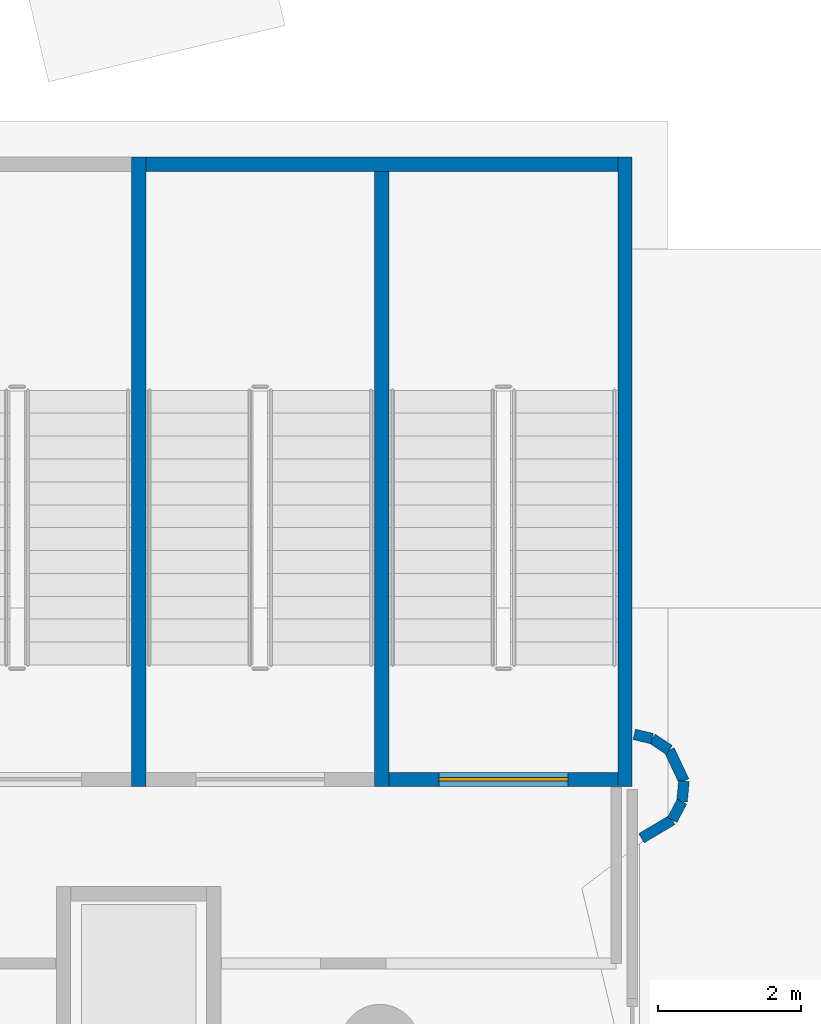
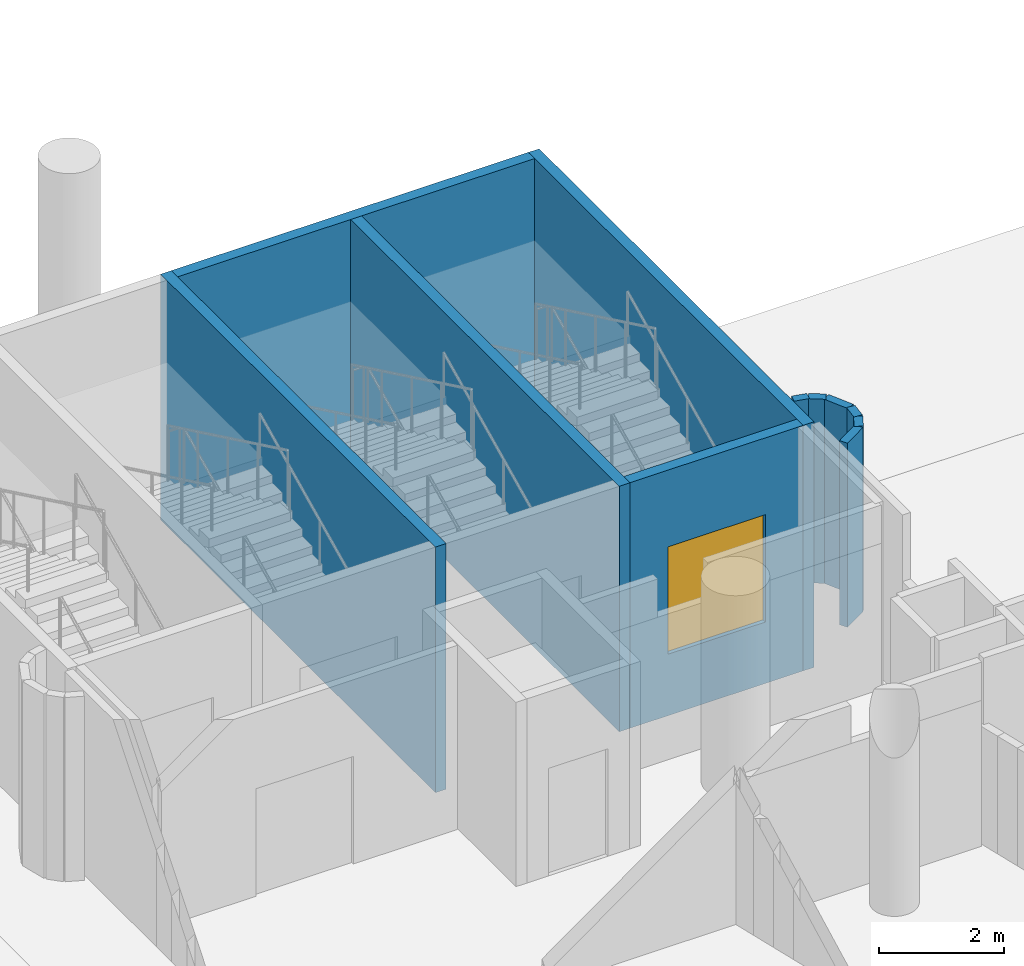
# One storey, part 80 of 142: 11 walls, 1 door, 1 opening.
"""IFC4 building model written with IfcOpenShell, lengths in metres."""

import ifcopenshell
import ifcopenshell.guid

model = None  # the IFC model being written
_history = None  # IfcOwnerHistory: only IFC2X3 demands one
_inside = {}  # id of a spatial element -> (the spatial element, [elements in it])
_under = {}  # id of a project, library or spatial element -> (it, [spatial elements below it])
_declared = {}  # id of a project -> (the project, [libraries it declares])
_typed = {}  # id of a type object -> (the type object, [elements of that type])
_made_of = {}  # id of a material, layer set ... -> (it, [elements and type objects made of it])


def new_model(schema):
    """Start an empty IFC model of exactly this schema.

    Asked for "IFC4X3", IfcOpenShell would pick the latest addendum, in which some entities
    have other attributes; the version numbers below select the first issue.
    IFC2X3 requires an IfcOwnerHistory on every rooted entity: one is made here for all.
    """
    global model, _history
    if schema == "IFC4X3":
        model = ifcopenshell.file(schema_version=(4, 3, 0, 0))
    else:
        model = ifcopenshell.file(schema=schema)
    _inside.clear()
    _under.clear()
    _declared.clear()
    _typed.clear()
    _made_of.clear()
    _history = None
    if model.schema == "IFC2X3":
        org = make("IfcOrganization", Name="unknown")
        user = make(
            "IfcPersonAndOrganization",
            ThePerson=make("IfcPerson", FamilyName="unknown"),
            TheOrganization=org,
        )
        app = make(
            "IfcApplication",
            ApplicationDeveloper=org,
            Version="unknown",
            ApplicationFullName="unknown",
            ApplicationIdentifier="unknown",
        )
        _history = make(
            "IfcOwnerHistory",
            OwningUser=user,
            OwningApplication=app,
            ChangeAction="ADDED",
            CreationDate=0,
        )
    return model


def make(cls, **values):
    """One entity of the class cls with the attributes given. An attribute that is None is left unset."""
    return model.create_entity(
        cls, **{name: value for name, value in values.items() if value is not None}
    )


def rooted(cls, **values):
    """An entity with a GlobalId (a new one), such as an element, a storey or a relation."""
    return make(cls, GlobalId=ifcopenshell.guid.new(), OwnerHistory=_history, **values)


def si_unit(unit_type, name, prefix=None):
    """IfcSIUnit, for example si_unit("LENGTHUNIT", "METRE", prefix="MILLI")."""
    return make("IfcSIUnit", UnitType=unit_type, Prefix=prefix, Name=name)


def assignment(units):
    """IfcUnitAssignment: the units of a project."""
    return None if units is None else make("IfcUnitAssignment", Units=units)


def point(xyz):
    """IfcCartesianPoint."""
    return None if xyz is None else make("IfcCartesianPoint", Coordinates=xyz)


def direction(xyz):
    """IfcDirection."""
    return None if xyz is None else make("IfcDirection", DirectionRatios=xyz)


def frame(location, z_axis=None, x_axis=None):
    """IfcAxis2Placement3D, a coordinate frame: its origin and axes. An axis left out is left unset."""
    return make(
        "IfcAxis2Placement3D",
        Location=point(location),
        Axis=direction(z_axis),
        RefDirection=direction(x_axis),
    )


def frame_2d(location, x_axis=None):
    """IfcAxis2Placement2D, a coordinate frame in the plane: its origin and x axis."""
    return make(
        "IfcAxis2Placement2D", Location=point(location), RefDirection=direction(x_axis)
    )


def origin():
    """The frame at (0, 0, 0) with its axes left unset."""
    return frame((0.0, 0.0, 0.0))


def place(relative_to, where):
    """IfcLocalPlacement: puts the frame where relative to a parent placement (None: the world)."""
    return make(
        "IfcLocalPlacement", PlacementRelTo=relative_to, RelativePlacement=where
    )


def context(
    kind, dimensions, precision=None, world=None, true_north=None, identifier=None
):
    """IfcGeometricRepresentationContext, for example the 3D "Model" context."""
    return make(
        "IfcGeometricRepresentationContext",
        ContextIdentifier=identifier,
        ContextType=kind,
        CoordinateSpaceDimension=dimensions,
        Precision=precision,
        WorldCoordinateSystem=world,
        TrueNorth=true_north,
    )


def subcontext(parent, identifier, kind, view, scale=None):
    """IfcGeometricRepresentationSubContext, for example "Body" below "Model"."""
    return make(
        "IfcGeometricRepresentationSubContext",
        ContextIdentifier=identifier,
        ContextType=kind,
        ParentContext=parent,
        TargetScale=scale,
        TargetView=view,
    )


def project(units=None, contexts=None):
    """IfcProject with its units and contexts."""
    return rooted(
        "IfcProject",
        Name="project",
        RepresentationContexts=contexts,
        UnitsInContext=assignment(units),
    )


def spatial(cls, under=None, at=None, **own):
    """A site, building, storey or space (cls), placed at a placement, below another one or the project."""
    s = rooted(cls, ObjectPlacement=at, **own)
    if under is not None:
        _under.setdefault(under.id(), (under, []))[1].append(s)
    return s


def profile(cls, at=None, kind="AREA", **sizes):
    """A parametric profile (cls). Its sizes go by their IFC names, for example OverallWidth=200.0."""
    return make(cls, ProfileType=kind, Position=at, **sizes)


def rectangle(**sizes):
    """IfcRectangleProfileDef."""
    return profile("IfcRectangleProfileDef", **sizes)


def extrude(swept, where, along, depth):
    """IfcExtrudedAreaSolid: the profile swept, set in the frame where, extruded along a direction by depth."""
    return make(
        "IfcExtrudedAreaSolid",
        SweptArea=swept,
        Position=where,
        ExtrudedDirection=direction(along),
        Depth=depth,
    )


def shape(context_of_items, identifier, shape_type, items):
    """IfcShapeRepresentation: the items that make up one representation, for example the "Body"."""
    return make(
        "IfcShapeRepresentation",
        ContextOfItems=context_of_items,
        RepresentationIdentifier=identifier,
        RepresentationType=shape_type,
        Items=items,
    )


def material(Name=None, Category=None):
    """IfcMaterial."""
    return make("IfcMaterial", Name=Name, Category=Category)


def layer(
    of_material, thickness, ventilated=None, Name=None, Category=None, Priority=None
):
    """IfcMaterialLayer: one layer of a wall or slab, of a material (None: an air gap)."""
    return make(
        "IfcMaterialLayer",
        Material=of_material,
        LayerThickness=thickness,
        IsVentilated=ventilated,
        Name=Name,
        Category=Category,
        Priority=Priority,
    )


def layer_set(layers, Name=None):
    """IfcMaterialLayerSet."""
    return make("IfcMaterialLayerSet", MaterialLayers=layers, LayerSetName=Name)


def made_of(thing, what):
    """Note that an element or type object is made of a material, layer set ...; save() writes the relation."""
    if what is not None:
        _made_of.setdefault(what.id(), (what, []))[1].append(thing)
    return thing


def type_object(cls, material=None, **own):
    """A type object (cls), such as IfcWallType, which elements share."""
    return made_of(rooted(cls, **own), material)


def element(
    cls,
    number,
    at=None,
    inside=None,
    cuts=None,
    type_object=None,
    material=None,
    context=None,
    identifier="Body",
    shape_type=None,
    held_by="IfcProductDefinitionShape",
    body=None,
    shapes=None,
    **own,
):
    """One element of the class cls, such as IfcWall. Its Tag is "e" and its number.

    at: its placement. inside: the storey or other place that contains it. cuts: it is an
    opening in that element (IfcRelVoidsElement). A single representation is given by context,
    identifier, shape_type and body (its items); several are given by shapes. held_by: the class
    of the entity that holds the representations. save() writes the other relations.
    """
    e = rooted(cls, Tag="e%d" % number, ObjectPlacement=at, **own)
    if body is not None:
        shapes = [shape(context, identifier, shape_type, body)]
    if shapes is not None:
        e.Representation = make(held_by, Representations=shapes)
    if inside is not None:
        _inside.setdefault(inside.id(), (inside, []))[1].append(e)
    if cuts is not None:
        rooted(
            "IfcRelVoidsElement", RelatingBuildingElement=cuts, RelatedOpeningElement=e
        )
    if type_object is not None:
        _typed.setdefault(type_object.id(), (type_object, []))[1].append(e)
    return made_of(e, material)


def fill(opening, filler):
    """IfcRelFillsElement: the door or window that sits in an opening."""
    return rooted(
        "IfcRelFillsElement",
        RelatingOpeningElement=opening,
        RelatedBuildingElement=filler,
    )


def aggregate(whole, parts):
    """IfcRelAggregates: a whole, such as a stair, and the parts it consists of."""
    return rooted("IfcRelAggregates", RelatingObject=whole, RelatedObjects=parts)


def save(model, path):
    """Write the relations noted so far, then the file.

    IfcRelAggregates (storeys below a building ...), IfcRelContainedInSpatialStructure (elements
    in a storey), IfcRelDefinesByType, IfcRelAssociatesMaterial and IfcRelDeclares: one each for
    every whole, place, type object, material and project.
    """
    for whole, parts in _under.values():
        aggregate(whole, parts)
    for where, things in _inside.values():
        rooted(
            "IfcRelContainedInSpatialStructure",
            RelatedElements=things,
            RelatingStructure=where,
        )
    for kind, things in _typed.values():
        rooted("IfcRelDefinesByType", RelatedObjects=things, RelatingType=kind)
    for what, things in _made_of.values():
        rooted("IfcRelAssociatesMaterial", RelatedObjects=things, RelatingMaterial=what)
    for by, libraries in _declared.values():
        rooted("IfcRelDeclares", RelatingContext=by, RelatedDefinitions=libraries)
    model.write(path)


model = new_model("IFC4")

# Units and contexts
model_context = context("Model", 3, precision=1e-05, world=origin(), true_north=direction((0.0, 1.0)))
body_context = subcontext(model_context, "Body", "Model", "MODEL_VIEW")
ifc_project = project(units=[si_unit("LENGTHUNIT", "METRE"), si_unit("AREAUNIT", "SQUARE_METRE"), si_unit("VOLUMEUNIT", "CUBIC_METRE"), si_unit("PLANEANGLEUNIT", "RADIAN"), si_unit("MASSUNIT", "GRAM", prefix="KILO")], contexts=[model_context])

# Site, building, storey
site_placement = place(None, origin())
site = spatial("IfcSite", under=ifc_project, at=site_placement, CompositionType="ELEMENT")
building_placement = place(site_placement, origin())
building = spatial("IfcBuilding", under=site, at=building_placement, Name="Meseta Stadium", CompositionType="ELEMENT")
storey_placement = place(building_placement, frame((0.0, 0.0, -4.0)))
storey = spatial("IfcBuildingStorey", under=building, at=storey_placement, Name="B1", CompositionType="ELEMENT", Elevation=-4.0)

# Walls
ifc_material_1 = material(Name="Concrete C40/50", Category="concrete")
ifc_layer_1 = layer(ifc_material_1, 0.199951171875)
ifc_layer_set_1 = layer_set([ifc_layer_1], Name="Core divider wall 200")
wall_type_1 = type_object("IfcWallType", Name="Core divider wall 200", PredefinedType="SHEAR", material=ifc_layer_set_1)
wall_1_placement = place(storey_placement, frame((-19.60009765625, 102.300048828125, -1.199951171875), z_axis=(0.0, 0.0, 1.0), x_axis=(0.0, -1.0, 0.0)))
element("IfcWall", 1, at=wall_1_placement, inside=storey, type_object=wall_type_1, Name="Core 11 B1 stair A divider wall", PredefinedType="SHEAR", context=body_context, shape_type="SweptSolid", body=[
    extrude(rectangle(XDim=8.800048828125, YDim=0.199951171875, at=frame_2d((4.39990234375, 0.0))), origin(), (0.0, 0.0, 1.0), 4.800048828125),
])
ifc_material_2 = material(Name="Concrete C40/50", Category="concrete")
ifc_layer_2 = layer(ifc_material_2, 0.199951171875)
ifc_layer_set_2 = layer_set([ifc_layer_2], Name="Core shaft wall 200")
wall_type_2 = type_object("IfcWallType", Name="Core shaft wall 200", PredefinedType="SHEAR", material=ifc_layer_set_2)
for number, where, z_axis, x_axis, name in (
    (2, (-16.199951171875, 102.300048828125, -1.199951171875), (0.0, 0.0, 1.0), (0.0, -1.0, 0.0), "Core 11 B1 stair wall A-side"),
    (3, (-23.0, 102.300048828125, -1.199951171875), (0.0, 0.0, 1.0), (0.0, -1.0, 0.0), "Core 11 B1 stair wall shared"),
):
    element("IfcWall", number, at=place(storey_placement, frame(where, z_axis=z_axis, x_axis=x_axis)), inside=storey, type_object=wall_type_2, Name=name, PredefinedType="SHEAR", context=body_context, shape_type="SweptSolid", body=[
        extrude(rectangle(XDim=8.800048828125, YDim=0.199951171875, at=frame_2d((4.39990234375, 0.0))), origin(), (0.0, 0.0, 1.0), 4.800048828125),
    ])
wall_2_placement = place(storey_placement, frame((-16.300048828125, 102.199951171875, -1.199951171875), z_axis=(0.0, 0.0, 1.0), x_axis=(-1.0, 0.0, 0.0)))
element("IfcWall", 4, at=wall_2_placement, inside=storey, type_object=wall_type_2, Name="Core 11 B1 stair A outer end wall", PredefinedType="SHEAR", context=body_context, shape_type="SweptSolid", body=[
    extrude(rectangle(XDim=6.599853515625, YDim=0.199951171875, at=frame_2d((3.2998046875, 0.0))), origin(), (0.0, 0.0, 1.0), 4.800048828125),
])

# Wall, opening, door
wall_3_placement = place(storey_placement, frame((-16.300048828125, 93.60009765625, -1.199951171875), z_axis=(0.0, 0.0, 1.0), x_axis=(-1.0, 0.0, 0.0)))
wall_3 = element("IfcWall", 5, at=wall_3_placement, inside=storey, type_object=wall_type_2, Name="Core 11 B1 stair A1 inner end wall", PredefinedType="SHEAR", context=body_context, shape_type="SweptSolid", body=[
    extrude(rectangle(XDim=3.199951171875, YDim=0.199951171875, at=frame_2d((1.60009765625, 0.0))), origin(), (0.0, 0.0, 1.0), 4.800048828125),
])
opening_placement = place(wall_3_placement, frame((0.699951171875, 0.0, 1.199951171875)))
opening = element("IfcOpeningElement", 6, at=opening_placement, cuts=wall_3, Name="Opening D151", PredefinedType="OPENING", context=body_context, shape_type="SweptSolid", body=[
    extrude(rectangle(XDim=1.800048828125, YDim=2.10009765625, at=frame_2d((0.89990234375, 1.050048828125))), frame((0.0, 0.10986328125, 0.0), z_axis=(0.0, -1.0, 0.0), x_axis=(1.0, 0.0, 0.0)), (0.0, 0.0, 1.0), 0.219970703125),
])
ifc_material_3 = material(Name="Steel", Category="steel")
door_type = type_object("IfcDoorType", Name="Stair door 1800x2100", OperationType="DOUBLE_DOOR_SINGLE_SWING", PredefinedType="DOOR", material=ifc_material_3)
door_placement = place(opening_placement, origin())
door = element("IfcDoor", 7, at=door_placement, inside=storey, type_object=door_type, Name="Stair A1 door 11 B1", OperationType="DOUBLE_DOOR_SINGLE_SWING", OverallHeight=2.10009765625, OverallWidth=1.800048828125, PredefinedType="DOOR", context=body_context, shape_type="SweptSolid", body=[
    extrude(rectangle(XDim=1.800048828125, YDim=2.10009765625, at=frame_2d((0.89990234375, 1.050048828125))), frame((0.0, 0.02490234375, 0.0), z_axis=(0.0, -1.0, 0.0), x_axis=(1.0, 0.0, 0.0)), (0.0, 0.0, 1.0), 0.050048828125),
])
fill(opening, door)

# Walls
ifc_material_4 = material(Name="Masonry blockwork", Category="masonry")
ifc_layer_3 = layer(ifc_material_4, 0.14990234375)
ifc_layer_set_3 = layer_set([ifc_layer_3], Name="Partition 150")
wall_type_3 = type_object("IfcWallType", Name="Partition 150", PredefinedType="PARTITIONING", material=ifc_layer_set_3)
wall_4_placement = place(storey_placement, frame((-15.970947265625, 92.77734375, 0.0), z_axis=(0.0, 0.0, 1.0), x_axis=(0.85856712863, 0.512701166017, 0.0)))
element("IfcWall", 8, at=wall_4_placement, inside=storey, type_object=wall_type_3, Name="Stair vestibule wall B1 core 11", PredefinedType="PARTITIONING", context=body_context, shape_type="SweptSolid", body=[
    extrude(rectangle(XDim=0.50048828125, YDim=0.14990234375, at=frame_2d((0.250244140625, 0.0))), origin(), (0.0, 0.0, 1.0), 3.60009765625),
])
wall_5_placement = place(storey_placement, frame((-15.541259765625, 93.033935546875, 0.0), z_axis=(0.0, 0.0, 1.0), x_axis=(0.471682765858, 0.881768319, 0.0)))
element("IfcWall", 9, at=wall_5_placement, inside=storey, type_object=wall_type_3, Name="Stair vestibule wall B1 core 11", PredefinedType="PARTITIONING", context=body_context, shape_type="SweptSolid", body=[
    extrude(rectangle(XDim=0.289306640625, YDim=0.14990234375, at=frame_2d((0.14453125, 0.0))), origin(), (0.0, 0.0, 1.0), 3.60009765625),
])
wall_6_placement = place(storey_placement, frame((-15.40478515625, 93.2890625, 0.0), z_axis=(0.0, 0.0, 1.0), x_axis=(0.0978334953, 0.99520279702, 0.0)))
element("IfcWall", 10, at=wall_6_placement, inside=storey, type_object=wall_type_3, Name="Stair vestibule wall B1 core 11", PredefinedType="PARTITIONING", context=body_context, shape_type="SweptSolid", body=[
    extrude(rectangle(XDim=0.28955078125, YDim=0.14990234375, at=frame_2d((0.144775390625, 0.0))), origin(), (0.0, 0.0, 1.0), 3.60009765625),
])
wall_7_placement = place(storey_placement, frame((-15.37646484375, 93.5771484375, 0.0), z_axis=(0.0, 0.0, 1.0), x_axis=(-0.427757963167, 0.903893315025, 0.0)))
element("IfcWall", 11, at=wall_7_placement, inside=storey, type_object=wall_type_3, Name="Stair vestibule wall B1 core 11", PredefinedType="PARTITIONING", context=body_context, shape_type="SweptSolid", body=[
    extrude(rectangle(XDim=0.4794921875, YDim=0.14990234375, at=frame_2d((0.23974609375, 0.0))), origin(), (0.0, 0.0, 1.0), 3.60009765625),
])
wall_8_placement = place(storey_placement, frame((-15.58154296875, 94.010498046875, 0.0), z_axis=(0.0, 0.0, 1.0), x_axis=(-0.831397130511, 0.555678694372, 0.0)))
element("IfcWall", 12, at=wall_8_placement, inside=storey, type_object=wall_type_3, Name="Stair vestibule wall B1 core 11", PredefinedType="PARTITIONING", context=body_context, shape_type="SweptSolid", body=[
    extrude(rectangle(XDim=0.287841796875, YDim=0.14990234375, at=frame_2d((0.14404296875, 0.0))), origin(), (0.0, 0.0, 1.0), 3.60009765625),
])
wall_9_placement = place(storey_placement, frame((-15.82080078125, 94.17041015625, 0.0), z_axis=(0.0, 0.0, 1.0), x_axis=(-0.973130593004, 0.230253879357, 0.0)))
element("IfcWall", 13, at=wall_9_placement, inside=storey, type_object=wall_type_3, Name="Stair vestibule wall B1 core 11", PredefinedType="PARTITIONING", context=body_context, shape_type="SweptSolid", body=[
    extrude(rectangle(XDim=0.257568359375, YDim=0.14990234375, at=frame_2d((0.12890625, 0.0))), origin(), (0.0, 0.0, 1.0), 3.60009765625),
])

save(model, "model.ifc")
